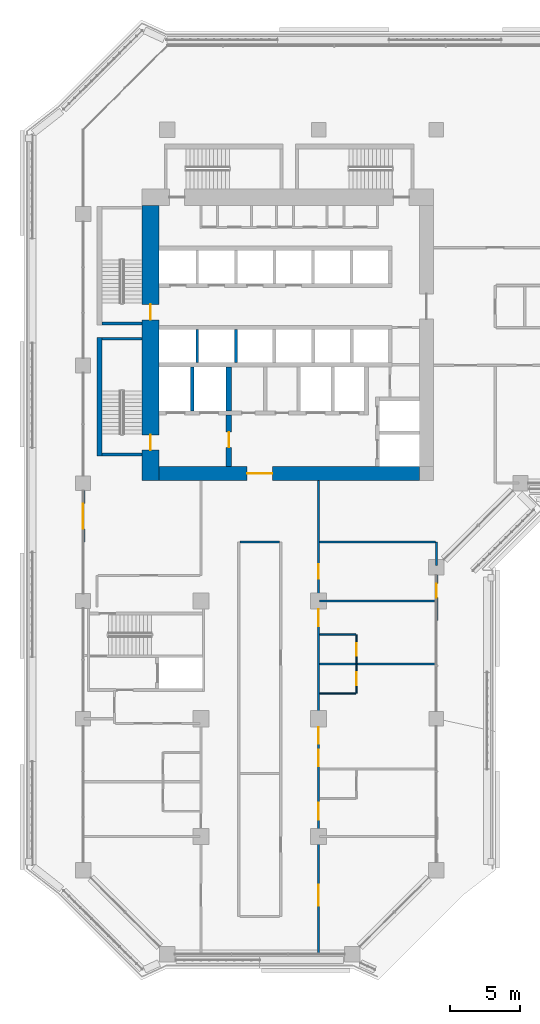
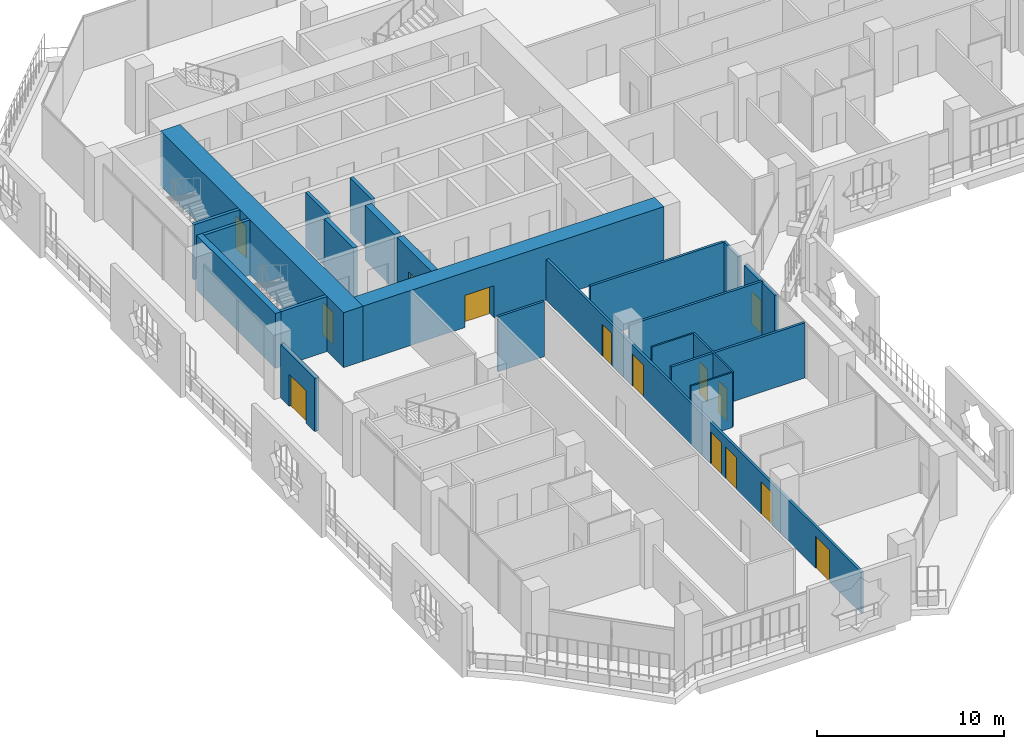
# One storey, part 13 of 25: 22 walls, 14 doors, 14 openings.
"""IFC4 building model written with IfcOpenShell, lengths in metres."""

from ifc_helpers import new_model, si_unit, direction, frame, frame_2d, origin, place, context, subcontext, project, spatial, rectangle, extrude, material, layer, layer_set, type_object, element, fill, save


model = new_model("IFC4")

# Units and contexts
model_context = context("Model", 3, precision=1e-05, world=origin(), true_north=direction((0.0, 1.0)))
body_context = subcontext(model_context, "Body", "Model", "MODEL_VIEW")
ifc_project = project(units=[si_unit("LENGTHUNIT", "METRE"), si_unit("AREAUNIT", "SQUARE_METRE"), si_unit("VOLUMEUNIT", "CUBIC_METRE"), si_unit("PLANEANGLEUNIT", "RADIAN"), si_unit("MASSUNIT", "GRAM", prefix="KILO")], contexts=[model_context])

# Site, building, storey
site_placement = place(None, origin())
site = spatial("IfcSite", under=ifc_project, at=site_placement, CompositionType="ELEMENT")
building_placement = place(site_placement, origin())
building = spatial("IfcBuilding", under=site, at=building_placement, Name="Kawkab Arch Medical Tower", CompositionType="ELEMENT")
storey_placement = place(building_placement, frame((0.0, 0.0, 132.39990234375)))
storey = spatial("IfcBuildingStorey", under=building, at=storey_placement, Name="L30", CompositionType="ELEMENT", Elevation=132.39990234375)

# Wall, opening, door
ifc_material_1 = material(Name="Concrete C60/75", Category="concrete")
ifc_layer_1 = layer(ifc_material_1, 1.0)
ifc_layer_set_1 = layer_set([ifc_layer_1], Name="Concrete C60/75")
wall_type_1 = type_object("IfcWallType", Name="Core ring wall 1000 C60/75", PredefinedType="SHEAR", material=ifc_layer_set_1)
wall_1_placement = place(storey_placement, frame((5.39990234375, -24.5, 0.0), z_axis=(0.0, 0.0, 1.0), x_axis=(1.0, 0.0, 0.0)))
wall_1 = element("IfcWall", 1, at=wall_1_placement, inside=storey, type_object=wall_type_1, Name="L30 core wall", PredefinedType="SHEAR", context=body_context, shape_type="SweptSolid", body=[
    extrude(rectangle(XDim=18.60009765625, YDim=1.0, at=frame_2d((9.300048828125, 0.0))), origin(), (0.0, 0.0, 1.0), 3.60009765625),
])
opening_1_placement = place(wall_1_placement, frame((6.300048828125, 0.0, 0.0)))
opening_1 = element("IfcOpeningElement", 2, at=opening_1_placement, cuts=wall_1, Name="Opening PD", PredefinedType="OPENING", context=body_context, shape_type="SweptSolid", body=[
    extrude(rectangle(XDim=1.800048828125, YDim=2.10009765625, at=frame_2d((0.89990234375, 1.050048828125))), frame((0.0, 0.510009765625, 0.0), z_axis=(0.0, -1.0, 0.0), x_axis=(1.0, 0.0, 0.0)), (0.0, 0.0, 1.0), 1.02001953125),
])
ifc_material_2 = material(Name="Hollow metal fire door leaf")
door_type_1 = type_object("IfcDoorType", Name="Core entrance doors 1800", OperationType="DOUBLE_DOOR_SINGLE_SWING", PredefinedType="DOOR", material=ifc_material_2)
door_1_placement = place(opening_1_placement, origin())
door_1 = element("IfcDoor", 3, at=door_1_placement, inside=storey, type_object=door_type_1, Name="L30 South entrance doors", OperationType="DOUBLE_DOOR_SINGLE_SWING", OverallHeight=2.10009765625, OverallWidth=1.800048828125, PredefinedType="DOOR", context=body_context, shape_type="SweptSolid", body=[
    extrude(rectangle(XDim=1.800048828125, YDim=2.10009765625, at=frame_2d((0.89990234375, 1.050048828125))), frame((0.0, 0.02490234375, 0.0), z_axis=(0.0, -1.0, 0.0), x_axis=(1.0, 0.0, 0.0)), (0.0, 0.0, 1.0), 0.050048828125),
])
fill(opening_1, door_1)

# Wall, openings, doors
ifc_material_3 = material(Name="Concrete C60/75", Category="concrete")
ifc_layer_2 = layer(ifc_material_3, 1.199951171875)
ifc_layer_set_2 = layer_set([ifc_layer_2], Name="Concrete C60/75")
wall_type_2 = type_object("IfcWallType", Name="Core ring wall 1200 C60/75", PredefinedType="SHEAR", material=ifc_layer_set_2)
wall_2_placement = place(storey_placement, frame((4.800048828125, -25.0, 0.0), z_axis=(0.0, 0.0, 1.0), x_axis=(0.0, 1.0, 0.0)))
wall_2 = element("IfcWall", 4, at=wall_2_placement, inside=storey, type_object=wall_type_2, Name="L30 core wall", PredefinedType="SHEAR", context=body_context, shape_type="SweptSolid", body=[
    extrude(rectangle(XDim=19.60009765625, YDim=1.199951171875, at=frame_2d((9.800048828125, 0.0))), origin(), (0.0, 0.0, 1.0), 3.60009765625),
])
opening_2_placement = place(wall_2_placement, frame((11.449951171875, 0.0, 0.0)))
opening_2 = element("IfcOpeningElement", 5, at=opening_2_placement, cuts=wall_2, Name="Opening SD", PredefinedType="OPENING", context=body_context, shape_type="SweptSolid", body=[
    extrude(rectangle(XDim=1.10009765625, YDim=2.10009765625, at=frame_2d((0.550048828125, 1.050048828125))), frame((0.0, 0.60986328125, 0.0), z_axis=(0.0, -1.0, 0.0), x_axis=(1.0, 0.0, 0.0)), (0.0, 0.0, 1.0), 1.219970703125),
])
opening_3_placement = place(wall_2_placement, frame((2.14990234375, 0.0, 0.0)))
opening_3 = element("IfcOpeningElement", 6, at=opening_3_placement, cuts=wall_2, Name="Opening SD", PredefinedType="OPENING", context=body_context, shape_type="SweptSolid", body=[
    extrude(rectangle(XDim=1.10009765625, YDim=2.10009765625, at=frame_2d((0.550048828125, 1.050048828125))), frame((0.0, 0.60986328125, 0.0), z_axis=(0.0, -1.0, 0.0), x_axis=(1.0, 0.0, 0.0)), (0.0, 0.0, 1.0), 1.219970703125),
])
ifc_material_4 = material(Name="Hollow metal fire door leaf")
door_type_2 = type_object("IfcDoorType", Name="Exit stair door 1100", OperationType="SINGLE_SWING_LEFT", PredefinedType="DOOR", material=ifc_material_4)
door_2_placement = place(opening_2_placement, origin())
door_2 = element("IfcDoor", 7, at=door_2_placement, inside=storey, type_object=door_type_2, Name="L30 Exit stair ST1 door", OperationType="SINGLE_SWING_LEFT", OverallHeight=2.10009765625, OverallWidth=1.10009765625, PredefinedType="DOOR", context=body_context, shape_type="SweptSolid", body=[
    extrude(rectangle(XDim=1.10009765625, YDim=2.10009765625, at=frame_2d((0.550048828125, 1.050048828125))), frame((0.0, 0.02490234375, 0.0), z_axis=(0.0, -1.0, 0.0), x_axis=(1.0, 0.0, 0.0)), (0.0, 0.0, 1.0), 0.050048828125),
])
fill(opening_2, door_2)
door_3_placement = place(opening_3_placement, origin())
door_3 = element("IfcDoor", 8, at=door_3_placement, inside=storey, type_object=door_type_2, Name="L30 Exit stair ST2 door", OperationType="SINGLE_SWING_LEFT", OverallHeight=2.10009765625, OverallWidth=1.10009765625, PredefinedType="DOOR", context=body_context, shape_type="SweptSolid", body=[
    extrude(rectangle(XDim=1.10009765625, YDim=2.10009765625, at=frame_2d((0.550048828125, 1.050048828125))), frame((0.0, 0.02490234375, 0.0), z_axis=(0.0, -1.0, 0.0), x_axis=(1.0, 0.0, 0.0)), (0.0, 0.0, 1.0), 0.050048828125),
])
fill(opening_3, door_3)

# Wall
ifc_material_5 = material(Name="Concrete C60/75", Category="concrete")
ifc_layer_3 = layer(ifc_material_5, 0.25)
ifc_layer_set_3 = layer_set([ifc_layer_3], Name="Concrete C60/75")
wall_type_3 = type_object("IfcWallType", Name="Core shear wall 250 C60/75", PredefinedType="SHEAR", material=ifc_layer_set_3)
wall_3_placement = place(storey_placement, frame((7.800048828125, -20.050048828125, 0.0), z_axis=(0.0, 0.0, 1.0), x_axis=(0.0, 1.0, 0.0)))
element("IfcWall", 9, at=wall_3_placement, inside=storey, type_object=wall_type_3, Name="L30 core shear wall", PredefinedType="SHEAR", context=body_context, shape_type="SweptSolid", body=[
    extrude(rectangle(XDim=3.150146484375, YDim=0.25, at=frame_2d((1.5751953125, 0.0))), origin(), (0.0, 0.0, 1.0), 3.60009765625),
])

# Wall, opening, door
ifc_material_6 = material(Name="Concrete C60/75", Category="concrete")
ifc_layer_4 = layer(ifc_material_6, 0.39990234375)
ifc_layer_set_4 = layer_set([ifc_layer_4], Name="Concrete C60/75")
wall_type_4 = type_object("IfcWallType", Name="Core shear wall 400 C60/75", PredefinedType="SHEAR", material=ifc_layer_set_4)
wall_4_placement = place(storey_placement, frame((10.39990234375, -24.0, 0.0), z_axis=(0.0, 0.0, 1.0), x_axis=(0.0, 1.0, 0.0)))
wall_4 = element("IfcWall", 10, at=wall_4_placement, inside=storey, type_object=wall_type_4, Name="L30 core shear wall", PredefinedType="SHEAR", context=body_context, shape_type="SweptSolid", body=[
    extrude(rectangle(XDim=3.64990234375, YDim=0.39990234375, at=frame_2d((1.824951171875, 0.0))), origin(), (0.0, 0.0, 1.0), 3.60009765625),
])
opening_4_placement = place(wall_4_placement, frame((1.35009765625, 0.0, 0.0)))
opening_4 = element("IfcOpeningElement", 11, at=opening_4_placement, cuts=wall_4, Name="Opening FD", PredefinedType="OPENING", context=body_context, shape_type="SweptSolid", body=[
    extrude(rectangle(XDim=1.10009765625, YDim=2.10009765625, at=frame_2d((0.550048828125, 1.050048828125))), frame((0.0, 0.2099609375, 0.0), z_axis=(0.0, -1.0, 0.0), x_axis=(1.0, 0.0, 0.0)), (0.0, 0.0, 1.0), 0.419921875),
])
ifc_material_7 = material(Name="Hollow metal fire door leaf")
door_type_3 = type_object("IfcDoorType", Name="Firefighting lobby door 1100", OperationType="SINGLE_SWING_LEFT", PredefinedType="DOOR", material=ifc_material_7)
door_4_placement = place(opening_4_placement, origin())
door_4 = element("IfcDoor", 12, at=door_4_placement, inside=storey, type_object=door_type_3, Name="L30 Firefighting lobby door", OperationType="SINGLE_SWING_LEFT", OverallHeight=2.10009765625, OverallWidth=1.10009765625, PredefinedType="DOOR", context=body_context, shape_type="SweptSolid", body=[
    extrude(rectangle(XDim=1.10009765625, YDim=2.10009765625, at=frame_2d((0.550048828125, 1.050048828125))), frame((0.0, 0.02490234375, 0.0), z_axis=(0.0, -1.0, 0.0), x_axis=(1.0, 0.0, 0.0)), (0.0, 0.0, 1.0), 0.050048828125),
])
fill(opening_4, door_4)

# Wall
wall_5_placement = place(storey_placement, frame((10.39990234375, -20.050048828125, 0.0), z_axis=(0.0, 0.0, 1.0), x_axis=(0.0, 1.0, 0.0)))
element("IfcWall", 13, at=wall_5_placement, inside=storey, type_object=wall_type_4, Name="L30 core shear wall", PredefinedType="SHEAR", context=body_context, shape_type="SweptSolid", body=[
    extrude(rectangle(XDim=3.150146484375, YDim=0.39990234375, at=frame_2d((1.5751953125, 0.0))), origin(), (0.0, 0.0, 1.0), 3.60009765625),
])

# Wall, opening, door
ifc_material_8 = material(Name="Bronze clad insulated wall panel")
ifc_layer_5 = layer(ifc_material_8, 0.25)
ifc_layer_set_5 = layer_set([ifc_layer_5], Name="Bronze clad insulated wall panel")
wall_type_5 = type_object("IfcWallType", Name="External wall bay 250", PredefinedType="SOLIDWALL", material=ifc_layer_set_5)
wall_6_placement = place(storey_placement, frame((0.0, -25.72509765625, 0.0), z_axis=(0.0, 0.0, 1.0), x_axis=(0.0, -1.0, 0.0)))
wall_6 = element("IfcWall", 14, at=wall_6_placement, inside=storey, type_object=wall_type_5, Name="External wall bay L30.R01.4.1", PredefinedType="SOLIDWALL", context=body_context, shape_type="SweptSolid", body=[
    extrude(rectangle(XDim=3.6748046875, YDim=0.25, at=frame_2d((1.83740234375, 0.0))), origin(), (0.0, 0.0, 1.0), 3.47998046875),
])
opening_5_placement = place(wall_6_placement, frame((0.9375, 0.0, 0.0)))
opening_5 = element("IfcOpeningElement", 15, at=opening_5_placement, cuts=wall_6, Name="Opening W25-701", PredefinedType="OPENING", context=body_context, shape_type="SweptSolid", body=[
    extrude(rectangle(XDim=1.800048828125, YDim=2.10009765625, at=frame_2d((0.89990234375, 1.050048828125))), frame((0.0, 0.135009765625, 0.0), z_axis=(0.0, -1.0, 0.0), x_axis=(1.0, 0.0, 0.0)), (0.0, 0.0, 1.0), 0.27001953125),
])
ifc_material_9 = material(Name="Bronze anodised aluminium door with tinted glass", Category="aluminium")
door_type_4 = type_object("IfcDoorType", Name="Double external door 1800 x 2100", OperationType="DOUBLE_DOOR_SINGLE_SWING", PredefinedType="DOOR", material=ifc_material_9)
door_5_placement = place(opening_5_placement, origin())
door_5 = element("IfcDoor", 16, at=door_5_placement, inside=storey, type_object=door_type_4, Name="External door L30.R01.4.1", OperationType="DOUBLE_DOOR_SINGLE_SWING", OverallHeight=2.10009765625, OverallWidth=1.800048828125, PredefinedType="DOOR", context=body_context, shape_type="SweptSolid", body=[
    extrude(rectangle(XDim=1.800048828125, YDim=2.10009765625, at=frame_2d((0.89990234375, 1.050048828125))), frame((0.0, 0.02490234375, 0.0), z_axis=(0.0, -1.0, 0.0), x_axis=(1.0, 0.0, 0.0)), (0.0, 0.0, 1.0), 0.050048828125),
])
fill(opening_5, door_5)

wall_7_placement = place(storey_placement, frame((25.199951171875, -34.99169921875, 0.0), z_axis=(0.0, 0.0, 1.0), x_axis=(0.0, 1.0, 0.0)))
wall_7 = element("IfcWall", 17, at=wall_7_placement, inside=storey, type_object=wall_type_5, Name="External wall bay L30.R05.2.3", PredefinedType="SOLIDWALL", context=body_context, shape_type="SweptSolid", body=[
    extrude(rectangle(XDim=3.24169921875, YDim=0.25, at=frame_2d((1.620849609375, 0.0))), origin(), (0.0, 0.0, 1.0), 3.47998046875),
])
opening_6_placement = place(wall_7_placement, frame((1.620849609375, 0.0, 0.0)))
opening_6 = element("IfcOpeningElement", 18, at=opening_6_placement, cuts=wall_7, Name="Opening W25-702", PredefinedType="OPENING", context=body_context, shape_type="SweptSolid", body=[
    extrude(rectangle(XDim=1.0, YDim=2.10009765625, at=frame_2d((0.5, 1.050048828125))), frame((0.0, 0.135009765625, 0.0), z_axis=(0.0, -1.0, 0.0), x_axis=(1.0, 0.0, 0.0)), (0.0, 0.0, 1.0), 0.27001953125),
])
ifc_material_10 = material(Name="Bronze anodised aluminium door with tinted glass", Category="aluminium")
door_type_5 = type_object("IfcDoorType", Name="Single external door 1000 x 2100", OperationType="SINGLE_SWING_LEFT", PredefinedType="DOOR", material=ifc_material_10)
door_6_placement = place(opening_6_placement, origin())
door_6 = element("IfcDoor", 19, at=door_6_placement, inside=storey, type_object=door_type_5, Name="External door L30.R05.2.3", OperationType="SINGLE_SWING_LEFT", OverallHeight=2.10009765625, OverallWidth=1.0, PredefinedType="DOOR", context=body_context, shape_type="SweptSolid", body=[
    extrude(rectangle(XDim=1.0, YDim=2.10009765625, at=frame_2d((0.5, 1.050048828125))), frame((0.0, 0.02490234375, 0.0), z_axis=(0.0, -1.0, 0.0), x_axis=(1.0, 0.0, 0.0)), (0.0, 0.0, 1.0), 0.050048828125),
])
fill(opening_6, door_6)

# Walls
ifc_material_11 = material(Name="Dense concrete blockwork", Category="masonry")
ifc_layer_6 = layer(ifc_material_11, 0.199951171875)
ifc_layer_set_6 = layer_set([ifc_layer_6], Name="Dense concrete blockwork")
wall_type_6 = type_object("IfcWallType", Name="Lift shaft partition 200", PredefinedType="PARTITIONING", material=ifc_layer_set_6)
for number, where, z_axis, x_axis, name in (
    (20, (8.14990234375, -16.60009765625, 0.0), (0.0, 0.0, 1.0), (0.0, 1.0, 0.0), "L30 lift shaft partition"),
    (21, (10.89990234375, -16.60009765625, 0.0), (0.0, 0.0, 1.0), (0.0, 1.0, 0.0), "L30 lift shaft partition"),
):
    element("IfcWall", number, at=place(storey_placement, frame(where, z_axis=z_axis, x_axis=x_axis)), inside=storey, type_object=wall_type_6, Name=name, PredefinedType="PARTITIONING", context=body_context, shape_type="SweptSolid", body=[
        extrude(rectangle(XDim=2.35009765625, YDim=0.199951171875, at=frame_2d((1.175048828125, 0.0))), origin(), (0.0, 0.0, 1.0), 3.60009765625),
    ])
ifc_material_12 = material(Name="Gypsum board partition on steel studs", Category="steel")
ifc_layer_7 = layer(ifc_material_12, 0.10009765625)
ifc_layer_set_7 = layer_set([ifc_layer_7], Name="Gypsum board partition on steel studs")
wall_type_7 = type_object("IfcWallType", Name="Partition 100", PredefinedType="PARTITIONING", material=ifc_layer_set_7)
wall_8_placement = place(storey_placement, frame((16.875, -40.199951171875, 0.0), z_axis=(0.0, 0.0, 1.0), x_axis=(1.0, 0.0, 0.0)))
element("IfcWall", 22, at=wall_8_placement, inside=storey, type_object=wall_type_7, Name="Partition 100 w004", PredefinedType="PARTITIONING", context=body_context, shape_type="SweptSolid", body=[
    extrude(rectangle(XDim=2.573974609375, YDim=0.10009765625, at=frame_2d((1.287109375, 0.0))), origin(), (0.0, 0.0, 1.0), 3.60009765625),
])
wall_9_placement = place(storey_placement, frame((16.875, -36.0, 0.0), z_axis=(0.0, 0.0, 1.0), x_axis=(1.0, 0.0, 0.0)))
element("IfcWall", 23, at=wall_9_placement, inside=storey, type_object=wall_type_7, Name="Partition 100 w005", PredefinedType="PARTITIONING", context=body_context, shape_type="SweptSolid", body=[
    extrude(rectangle(XDim=2.574951171875, YDim=0.10009765625, at=frame_2d((1.28759765625, 0.0))), origin(), (0.0, 0.0, 1.0), 3.60009765625),
])

# Wall, openings, doors
wall_10_placement = place(storey_placement, frame((19.5, -40.197998046875, 0.0), z_axis=(0.0, 0.0, 1.0), x_axis=(0.0, 1.0, 0.0)))
wall_10 = element("IfcWall", 24, at=wall_10_placement, inside=storey, type_object=wall_type_7, Name="Partition 100 w017", PredefinedType="PARTITIONING", context=body_context, shape_type="SweptSolid", body=[
    extrude(rectangle(XDim=4.197998046875, YDim=0.10009765625, at=frame_2d((2.09912109375, 0.0))), origin(), (0.0, 0.0, 1.0), 3.60009765625),
])
opening_7_placement = place(wall_10_placement, frame((2.697998046875, 0.0, 0.0)))
opening_7 = element("IfcOpeningElement", 25, at=opening_7_placement, cuts=wall_10, Name="Opening W25-018", PredefinedType="OPENING", context=body_context, shape_type="SweptSolid", body=[
    extrude(rectangle(XDim=0.89990234375, YDim=2.10009765625, at=frame_2d((0.449951171875, 1.050048828125))), frame((0.0, 0.06005859375, 0.0), z_axis=(0.0, -1.0, 0.0), x_axis=(1.0, 0.0, 0.0)), (0.0, 0.0, 1.0), 0.1201171875),
])
opening_8_placement = place(wall_10_placement, frame((0.59912109375, 0.0, 0.0)))
opening_8 = element("IfcOpeningElement", 26, at=opening_8_placement, cuts=wall_10, Name="Opening W25-019", PredefinedType="OPENING", context=body_context, shape_type="SweptSolid", body=[
    extrude(rectangle(XDim=0.89990234375, YDim=2.10009765625, at=frame_2d((0.449951171875, 1.050048828125))), frame((0.0, 0.06005859375, 0.0), z_axis=(0.0, -1.0, 0.0), x_axis=(1.0, 0.0, 0.0)), (0.0, 0.0, 1.0), 0.1201171875),
])
ifc_material_13 = material(Name="Timber door leaf", Category="wood")
door_type_6 = type_object("IfcDoorType", Name="Single door 900x2100", OperationType="NOTDEFINED", PredefinedType="DOOR", material=ifc_material_13)
door_7_placement = place(opening_7_placement, origin())
door_7 = element("IfcDoor", 27, at=door_7_placement, inside=storey, type_object=door_type_6, Name="Door W25-018", OperationType="SINGLE_SWING_LEFT", OverallHeight=2.10009765625, OverallWidth=0.89990234375, PredefinedType="DOOR", context=body_context, shape_type="SweptSolid", body=[
    extrude(rectangle(XDim=0.89990234375, YDim=2.10009765625, at=frame_2d((0.449951171875, 1.050048828125))), frame((0.0, 0.02490234375, 0.0), z_axis=(0.0, -1.0, 0.0), x_axis=(1.0, 0.0, 0.0)), (0.0, 0.0, 1.0), 0.050048828125),
])
fill(opening_7, door_7)
door_8_placement = place(opening_8_placement, origin())
door_8 = element("IfcDoor", 28, at=door_8_placement, inside=storey, type_object=door_type_6, Name="Door W25-019", OperationType="SINGLE_SWING_RIGHT", OverallHeight=2.10009765625, OverallWidth=0.89990234375, PredefinedType="DOOR", context=body_context, shape_type="SweptSolid", body=[
    extrude(rectangle(XDim=0.89990234375, YDim=2.10009765625, at=frame_2d((0.449951171875, 1.050048828125))), frame((0.0, 0.02490234375, 0.0), z_axis=(0.0, -1.0, 0.0), x_axis=(1.0, 0.0, 0.0)), (0.0, 0.0, 1.0), 0.050048828125),
])
fill(opening_8, door_8)

# Walls
ifc_material_14 = material(Name="Gypsum board partition on steel studs, mineral wool", Category="steel")
ifc_layer_8 = layer(ifc_material_14, 0.14990234375)
ifc_layer_set_8 = layer_set([ifc_layer_8], Name="Gypsum board partition on steel studs, mineral wool")
wall_type_8 = type_object("IfcWallType", Name="Partition 150", PredefinedType="PARTITIONING", material=ifc_layer_set_8)
for number, where, z_axis, x_axis, name in (
    (29, (16.875, -38.10009765625, 0.0), (0.0, 0.0, 1.0), (1.0, 0.0, 0.0), "Partition 150 w036"),
    (30, (16.875, -33.60009765625, 0.0), (0.0, 0.0, 1.0), (1.0, 0.0, 0.0), "Partition 150 w038"),
):
    element("IfcWall", number, at=place(storey_placement, frame(where, z_axis=z_axis, x_axis=x_axis)), inside=storey, type_object=wall_type_8, Name=name, PredefinedType="PARTITIONING", context=body_context, shape_type="SweptSolid", body=[
        extrude(rectangle(XDim=8.2451171875, YDim=0.14990234375, at=frame_2d((4.12255859375, 0.0))), origin(), (0.0, 0.0, 1.0), 3.60009765625),
    ])
wall_11_placement = place(storey_placement, frame((11.175048828125, -29.39990234375, 0.0), z_axis=(0.0, 0.0, 1.0), x_axis=(1.0, 0.0, 0.0)))
element("IfcWall", 31, at=wall_11_placement, inside=storey, type_object=wall_type_8, Name="Partition 150 w040", PredefinedType="PARTITIONING", context=body_context, shape_type="SweptSolid", body=[
    extrude(rectangle(XDim=2.849853515625, YDim=0.14990234375, at=frame_2d((1.4248046875, 0.0))), origin(), (0.0, 0.0, 1.0), 3.60009765625),
])
wall_12_placement = place(storey_placement, frame((16.875, -29.39990234375, 0.0), z_axis=(0.0, 0.0, 1.0), x_axis=(1.0, 0.0, 0.0)))
element("IfcWall", 32, at=wall_12_placement, inside=storey, type_object=wall_type_8, Name="Partition 150 w041", PredefinedType="PARTITIONING", context=body_context, shape_type="SweptSolid", body=[
    extrude(rectangle(XDim=8.25, YDim=0.14990234375, at=frame_2d((4.125, 0.0))), origin(), (0.0, 0.0, 1.0), 3.60009765625),
])

# Wall, openings, doors
wall_13_placement = place(storey_placement, frame((16.800048828125, -58.719970703125, 0.0), z_axis=(0.0, 0.0, 1.0), x_axis=(0.0, 1.0, 0.0)))
wall_13 = element("IfcWall", 33, at=wall_13_placement, inside=storey, type_object=wall_type_8, Name="Partition 150 w060", PredefinedType="PARTITIONING", context=body_context, shape_type="SweptSolid", body=[
    extrude(rectangle(XDim=33.719970703125, YDim=0.14990234375, at=frame_2d((16.85986328125, 0.0))), origin(), (0.0, 0.0, 1.0), 2.7001953125),
])
opening_9_placement = place(wall_13_placement, frame((26.719970703125, 0.0, 0.0)))
opening_9 = element("IfcOpeningElement", 34, at=opening_9_placement, cuts=wall_13, Name="Opening W25-036", PredefinedType="OPENING", context=body_context, shape_type="SweptSolid", body=[
    extrude(rectangle(XDim=1.0, YDim=2.10009765625, at=frame_2d((0.5, 1.050048828125))), frame((0.0, 0.0849609375, 0.0), z_axis=(0.0, -1.0, 0.0), x_axis=(1.0, 0.0, 0.0)), (0.0, 0.0, 1.0), 0.169921875),
])
opening_10_placement = place(wall_13_placement, frame((23.320068359375, 0.0, 0.0)))
opening_10 = element("IfcOpeningElement", 35, at=opening_10_placement, cuts=wall_13, Name="Opening W25-054", PredefinedType="OPENING", context=body_context, shape_type="SweptSolid", body=[
    extrude(rectangle(XDim=1.199951171875, YDim=2.10009765625, at=frame_2d((0.60009765625, 1.050048828125))), frame((0.0, 0.0849609375, 0.0), z_axis=(0.0, -1.0, 0.0), x_axis=(1.0, 0.0, 0.0)), (0.0, 0.0, 1.0), 0.169921875),
])
opening_11_placement = place(wall_13_placement, frame((14.919921875, 0.0, 0.0)))
opening_11 = element("IfcOpeningElement", 36, at=opening_11_placement, cuts=wall_13, Name="Opening W25-055", PredefinedType="OPENING", context=body_context, shape_type="SweptSolid", body=[
    extrude(rectangle(XDim=1.199951171875, YDim=2.10009765625, at=frame_2d((0.60009765625, 1.050048828125))), frame((0.0, 0.0849609375, 0.0), z_axis=(0.0, -1.0, 0.0), x_axis=(1.0, 0.0, 0.0)), (0.0, 0.0, 1.0), 0.169921875),
])
opening_12_placement = place(wall_13_placement, frame((13.320068359375, 0.0, 0.0)))
opening_12 = element("IfcOpeningElement", 37, at=opening_12_placement, cuts=wall_13, Name="Opening W25-056", PredefinedType="OPENING", context=body_context, shape_type="SweptSolid", body=[
    extrude(rectangle(XDim=1.199951171875, YDim=2.10009765625, at=frame_2d((0.60009765625, 1.050048828125))), frame((0.0, 0.0849609375, 0.0), z_axis=(0.0, -1.0, 0.0), x_axis=(1.0, 0.0, 0.0)), (0.0, 0.0, 1.0), 0.169921875),
])
opening_13_placement = place(wall_13_placement, frame((9.52001953125, 0.0, 0.0)))
opening_13 = element("IfcOpeningElement", 38, at=opening_13_placement, cuts=wall_13, Name="Opening W25-057", PredefinedType="OPENING", context=body_context, shape_type="SweptSolid", body=[
    extrude(rectangle(XDim=1.199951171875, YDim=2.10009765625, at=frame_2d((0.60009765625, 1.050048828125))), frame((0.0, 0.0849609375, 0.0), z_axis=(0.0, -1.0, 0.0), x_axis=(1.0, 0.0, 0.0)), (0.0, 0.0, 1.0), 0.169921875),
])
opening_14_placement = place(wall_13_placement, frame((3.3701171875, 0.0, 0.0)))
opening_14 = element("IfcOpeningElement", 39, at=opening_14_placement, cuts=wall_13, Name="Opening W25-004", PredefinedType="OPENING", context=body_context, shape_type="SweptSolid", body=[
    extrude(rectangle(XDim=1.5, YDim=2.10009765625, at=frame_2d((0.75, 1.050048828125))), frame((0.0, 0.0849609375, 0.0), z_axis=(0.0, -1.0, 0.0), x_axis=(1.0, 0.0, 0.0)), (0.0, 0.0, 1.0), 0.169921875),
])
ifc_material_15 = material(Name="Hollow metal door leaf")
door_type_7 = type_object("IfcDoorType", Name="Double door 1500x2100 FD30S", OperationType="NOTDEFINED", PredefinedType="DOOR", material=ifc_material_15)
door_9_placement = place(opening_14_placement, origin())
door_9 = element("IfcDoor", 40, at=door_9_placement, inside=storey, type_object=door_type_7, Name="Door W25-004", OperationType="DOUBLE_DOOR_SINGLE_SWING", OverallHeight=2.10009765625, OverallWidth=1.5, PredefinedType="DOOR", context=body_context, shape_type="SweptSolid", body=[
    extrude(rectangle(XDim=1.5, YDim=2.10009765625, at=frame_2d((0.75, 1.050048828125))), frame((0.0, 0.02490234375, 0.0), z_axis=(0.0, -1.0, 0.0), x_axis=(1.0, 0.0, 0.0)), (0.0, 0.0, 1.0), 0.050048828125),
])
fill(opening_14, door_9)
ifc_material_16 = material(Name="Hollow metal door leaf")
door_type_8 = type_object("IfcDoorType", Name="Single door 1000x2100 FD30S", OperationType="NOTDEFINED", PredefinedType="DOOR", material=ifc_material_16)
door_10_placement = place(opening_9_placement, origin())
door_10 = element("IfcDoor", 41, at=door_10_placement, inside=storey, type_object=door_type_8, Name="Door W25-036", OperationType="SINGLE_SWING_LEFT", OverallHeight=2.10009765625, OverallWidth=1.0, PredefinedType="DOOR", context=body_context, shape_type="SweptSolid", body=[
    extrude(rectangle(XDim=1.0, YDim=2.10009765625, at=frame_2d((0.5, 1.050048828125))), frame((0.0, 0.02490234375, 0.0), z_axis=(0.0, -1.0, 0.0), x_axis=(1.0, 0.0, 0.0)), (0.0, 0.0, 1.0), 0.050048828125),
])
fill(opening_9, door_10)
ifc_material_17 = material(Name="Hollow metal door leaf")
door_type_9 = type_object("IfcDoorType", Name="Single door 1200x2100 FD30S", OperationType="NOTDEFINED", PredefinedType="DOOR", material=ifc_material_17)
door_11_placement = place(opening_10_placement, origin())
door_11 = element("IfcDoor", 42, at=door_11_placement, inside=storey, type_object=door_type_9, Name="Door W25-054", OperationType="SINGLE_SWING_LEFT", OverallHeight=2.10009765625, OverallWidth=1.199951171875, PredefinedType="DOOR", context=body_context, shape_type="SweptSolid", body=[
    extrude(rectangle(XDim=1.199951171875, YDim=2.10009765625, at=frame_2d((0.60009765625, 1.050048828125))), frame((0.0, 0.02490234375, 0.0), z_axis=(0.0, -1.0, 0.0), x_axis=(1.0, 0.0, 0.0)), (0.0, 0.0, 1.0), 0.050048828125),
])
fill(opening_10, door_11)
door_12_placement = place(opening_11_placement, origin())
door_12 = element("IfcDoor", 43, at=door_12_placement, inside=storey, type_object=door_type_9, Name="Door W25-055", OperationType="SINGLE_SWING_RIGHT", OverallHeight=2.10009765625, OverallWidth=1.199951171875, PredefinedType="DOOR", context=body_context, shape_type="SweptSolid", body=[
    extrude(rectangle(XDim=1.199951171875, YDim=2.10009765625, at=frame_2d((0.60009765625, 1.050048828125))), frame((0.0, 0.02490234375, 0.0), z_axis=(0.0, -1.0, 0.0), x_axis=(1.0, 0.0, 0.0)), (0.0, 0.0, 1.0), 0.050048828125),
])
fill(opening_11, door_12)
door_13_placement = place(opening_12_placement, origin())
door_13 = element("IfcDoor", 44, at=door_13_placement, inside=storey, type_object=door_type_9, Name="Door W25-056", OperationType="SINGLE_SWING_RIGHT", OverallHeight=2.10009765625, OverallWidth=1.199951171875, PredefinedType="DOOR", context=body_context, shape_type="SweptSolid", body=[
    extrude(rectangle(XDim=1.199951171875, YDim=2.10009765625, at=frame_2d((0.60009765625, 1.050048828125))), frame((0.0, 0.02490234375, 0.0), z_axis=(0.0, -1.0, 0.0), x_axis=(1.0, 0.0, 0.0)), (0.0, 0.0, 1.0), 0.050048828125),
])
fill(opening_12, door_13)
door_14_placement = place(opening_13_placement, origin())
door_14 = element("IfcDoor", 45, at=door_14_placement, inside=storey, type_object=door_type_9, Name="Door W25-057", OperationType="SINGLE_SWING_RIGHT", OverallHeight=2.10009765625, OverallWidth=1.199951171875, PredefinedType="DOOR", context=body_context, shape_type="SweptSolid", body=[
    extrude(rectangle(XDim=1.199951171875, YDim=2.10009765625, at=frame_2d((0.60009765625, 1.050048828125))), frame((0.0, 0.02490234375, 0.0), z_axis=(0.0, -1.0, 0.0), x_axis=(1.0, 0.0, 0.0)), (0.0, 0.0, 1.0), 0.050048828125),
])
fill(opening_13, door_14)

# Walls
wall_14_placement = place(storey_placement, frame((25.199951171875, -31.0869140625, 0.0), z_axis=(0.0, 0.0, 1.0), x_axis=(0.0, 1.0, 0.0)))
element("IfcWall", 46, at=wall_14_placement, inside=storey, type_object=wall_type_8, Name="Partition 150 w061", PredefinedType="PARTITIONING", context=body_context, shape_type="SweptSolid", body=[
    extrude(rectangle(XDim=1.68701171875, YDim=0.14990234375, at=frame_2d((0.843505859375, 0.0))), origin(), (0.0, 0.0, 1.0), 3.60009765625),
])
ifc_material_18 = material(Name="Concrete C50/60", Category="concrete")
ifc_layer_9 = layer(ifc_material_18, 0.199951171875)
ifc_layer_set_9 = layer_set([ifc_layer_9], Name="Concrete C50/60")
wall_type_9 = type_object("IfcWallType", Name="Stair enclosure wall 200 C50/60", PredefinedType="SHEAR", material=ifc_layer_set_9)
for number, where, z_axis, x_axis, name in (
    (47, (1.35009765625, -13.800048828125, 0.0), (0.0, 0.0, 1.0), (1.0, 0.0, 0.0), "L30 stair enclosure wall"),
    (48, (1.35009765625, -14.89990234375, 0.0), (0.0, 0.0, 1.0), (1.0, 0.0, 0.0), "L30 stair enclosure wall"),
    (49, (1.35009765625, -23.14990234375, 0.0), (0.0, 0.0, 1.0), (1.0, 0.0, 0.0), "L30 stair enclosure wall"),
):
    element("IfcWall", number, at=place(storey_placement, frame(where, z_axis=z_axis, x_axis=x_axis)), inside=storey, type_object=wall_type_9, Name=name, PredefinedType="SHEAR", context=body_context, shape_type="SweptSolid", body=[
        extrude(rectangle(XDim=2.849853515625, YDim=0.199951171875, at=frame_2d((1.4248046875, 0.0))), origin(), (0.0, 0.0, 1.0), 3.60009765625),
    ])
ifc_material_19 = material(Name="Concrete C50/60", Category="concrete")
ifc_layer_10 = layer(ifc_material_19, 0.35009765625)
ifc_layer_set_10 = layer_set([ifc_layer_10], Name="Concrete C50/60")
wall_type_10 = type_object("IfcWallType", Name="Stair enclosure wall 350 C50/60", PredefinedType="SHEAR", material=ifc_layer_set_10)
wall_15_placement = place(storey_placement, frame((1.175048828125, -23.25, 0.0), z_axis=(0.0, 0.0, 1.0), x_axis=(0.0, 1.0, 0.0)))
element("IfcWall", 50, at=wall_15_placement, inside=storey, type_object=wall_type_10, Name="L30 stair enclosure wall", PredefinedType="SHEAR", context=body_context, shape_type="SweptSolid", body=[
    extrude(rectangle(XDim=8.449951171875, YDim=0.35009765625, at=frame_2d((4.22509765625, 0.0))), origin(), (0.0, 0.0, 1.0), 3.60009765625),
])

save(model, "model.ifc")
